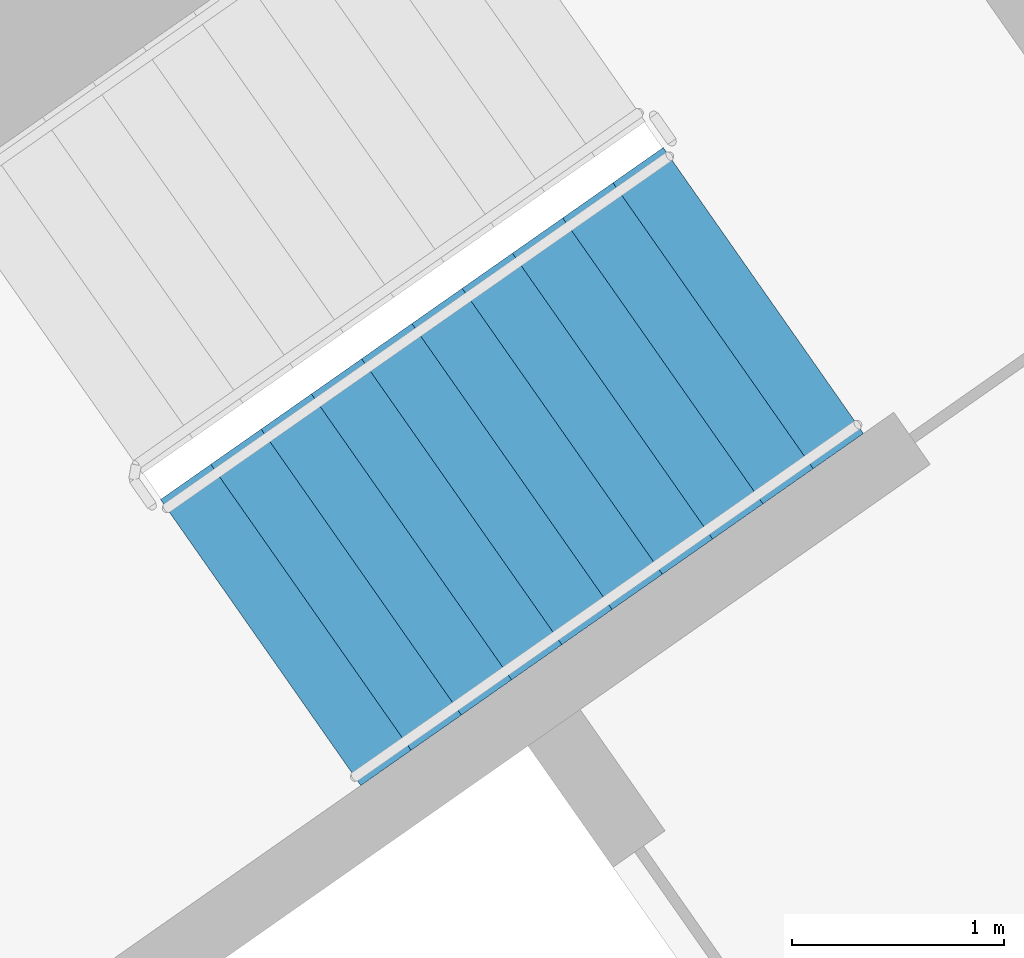
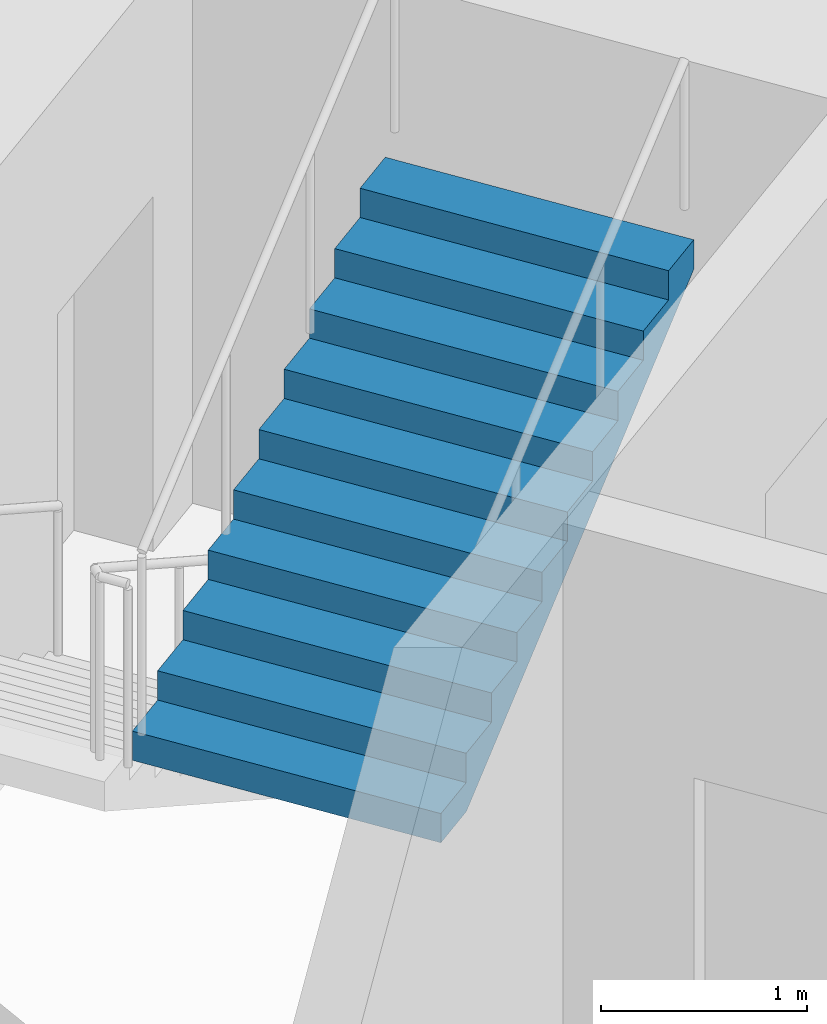
# One storey, part 16 of 28: 1 stair flight, 1 element without a shape of its own.
"""IFC4 building model written with IfcOpenShell, lengths in metres."""

from ifc_helpers import new_model, si_unit, direction, frame, origin, place, context, subcontext, project, spatial, faceted_brep, material, type_object, element, aggregate, save


model = new_model("IFC4")

# Units and contexts
model_context = context("Model", 3, precision=1e-05, world=origin(), true_north=direction((0.0, 1.0)))
body_context = subcontext(model_context, "Body", "Model", "MODEL_VIEW")
ifc_project = project(units=[si_unit("LENGTHUNIT", "METRE"), si_unit("AREAUNIT", "SQUARE_METRE"), si_unit("VOLUMEUNIT", "CUBIC_METRE"), si_unit("PLANEANGLEUNIT", "RADIAN"), si_unit("MASSUNIT", "GRAM", prefix="KILO")], contexts=[model_context])

# Site, building, storey
site_placement = place(None, origin())
site = spatial("IfcSite", under=ifc_project, at=site_placement, CompositionType="ELEMENT")
building_placement = place(site_placement, origin())
building = spatial("IfcBuilding", under=site, at=building_placement, Name="Qamariyya Broadcast Tower", CompositionType="ELEMENT")
storey_placement = place(building_placement, frame((0.0, 0.0, 140.5)))
storey = spatial("IfcBuildingStorey", under=building, at=storey_placement, Name="L32", CompositionType="ELEMENT", Elevation=140.5)

# Stair, stair flight
ifc_material = material(Name="Concrete C50/60", Category="concrete")
stair_type = type_object("IfcStairType", Name="Exit stair 22 risers of 173 mm", PredefinedType="HALF_TURN_STAIR", material=ifc_material)
stair_placement = place(storey_placement, origin())
stair = element("IfcStair", 1, at=stair_placement, inside=storey, type_object=stair_type, Name="L32 Stair E2", PredefinedType="HALF_TURN_STAIR")
stair_flight_type = type_object("IfcStairFlightType", Name="Exit stair flight 11 risers of 173 mm", PredefinedType="STRAIGHT", material=ifc_material)
stair_flight_placement = place(storey_placement, frame((39.215576171875, -50.822998046875, 1.89990234375), z_axis=(0.0, 0.0, 1.0), x_axis=(0.819152044289, 0.573576436351, 0.0)))
stair_flight = element("IfcStairFlight", 2, at=stair_flight_placement, type_object=stair_flight_type, Name="ST-E2 flight 2", NumberOfRisers=11, NumberOfTreads=10, PredefinedType="STRAIGHT", RiserHeight=0.172727273, TreadLength=0.29, context=body_context, shape_type="Brep", body=[
    faceted_brep([(0.0, 0.824951171875, 0.0), (0.0, 0.824951171875, 0.172607421875), (0.2900390625, 0.824951171875, 0.172607421875), (0.2900390625, 0.824951171875, 0.345458984375), (0.580078125, 0.824951171875, 0.345458984375), (0.580078125, 0.824951171875, 0.51806640625), (0.8701171875, 0.824951171875, 0.51806640625), (0.8701171875, 0.824951171875, 0.69091796875), (1.159912109375, 0.824951171875, 0.69091796875), (1.159912109375, 0.824951171875, 0.863525390625), (1.449951171875, 0.824951171875, 0.863525390625), (1.449951171875, 0.824951171875, 1.036376953125), (1.739990234375, 0.824951171875, 1.036376953125), (1.739990234375, 0.824951171875, 1.208984375), (2.030029296875, 0.824951171875, 1.208984375), (2.030029296875, 0.824951171875, 1.3818359375), (2.320068359375, 0.824951171875, 1.3818359375), (2.320068359375, 0.824951171875, 1.554443359375), (2.610107421875, 0.824951171875, 1.554443359375), (2.610107421875, 0.824951171875, 1.727294921875), (2.89990234375, 0.824951171875, 1.727294921875), (2.89990234375, 0.824951171875, 1.552734375), (0.29296875, 0.824951171875, 0.0), (0.29296875, -0.824951171875, 0.0), (2.89990234375, -0.824951171875, 1.552734375), (2.89990234375, -0.824951171875, 1.727294921875), (2.610107421875, -0.824951171875, 1.727294921875), (2.610107421875, -0.824951171875, 1.554443359375), (2.320068359375, -0.824951171875, 1.554443359375), (2.320068359375, -0.824951171875, 1.3818359375), (2.030029296875, -0.824951171875, 1.3818359375), (2.030029296875, -0.824951171875, 1.208984375), (1.739990234375, -0.824951171875, 1.208984375), (1.739990234375, -0.824951171875, 1.036376953125), (1.449951171875, -0.824951171875, 1.036376953125), (1.449951171875, -0.824951171875, 0.863525390625), (1.159912109375, -0.824951171875, 0.863525390625), (1.159912109375, -0.824951171875, 0.69091796875), (0.8701171875, -0.824951171875, 0.69091796875), (0.8701171875, -0.824951171875, 0.51806640625), (0.580078125, -0.824951171875, 0.51806640625), (0.580078125, -0.824951171875, 0.345458984375), (0.2900390625, -0.824951171875, 0.345458984375), (0.2900390625, -0.824951171875, 0.172607421875), (0.0, -0.824951171875, 0.172607421875), (0.0, -0.824951171875, 0.0), (0.0, 0.10009765625, 0.0), (0.0, 0.086669921875, 0.0), (0.0, 0.0732421875, 0.0), (0.0, 0.06005859375, 0.0), (0.0, 0.046630859375, 0.0), (0.0, 0.033447265625, 0.0), (0.0, 0.02001953125, 0.0), (0.0, 0.006591796875, 0.0), (0.0, -0.006591796875, 0.0), (0.0, -0.02001953125, 0.0), (0.0, -0.033447265625, 0.0), (0.0, -0.046630859375, 0.0), (0.0, -0.06005859375, 0.0), (0.0, -0.0732421875, 0.0), (0.0, -0.086669921875, 0.0), (0.0, -0.10009765625, 0.0), (0.0, -0.10009765625, 0.172607421875), (0.0, -0.086669921875, 0.172607421875), (0.0, -0.0732421875, 0.172607421875), (0.0, -0.06005859375, 0.172607421875), (0.0, -0.046630859375, 0.172607421875), (0.0, -0.033447265625, 0.172607421875), (0.0, -0.02001953125, 0.172607421875), (0.0, -0.006591796875, 0.172607421875), (0.0, 0.006591796875, 0.172607421875), (0.0, 0.02001953125, 0.172607421875), (0.0, 0.033447265625, 0.172607421875), (0.0, 0.046630859375, 0.172607421875), (0.0, 0.06005859375, 0.172607421875), (0.0, 0.0732421875, 0.172607421875), (0.0, 0.086669921875, 0.172607421875), (0.0, 0.10009765625, 0.172607421875), (0.2900390625, -0.10009765625, 0.172607421875), (0.2900390625, -0.086669921875, 0.172607421875), (0.2900390625, -0.0732421875, 0.172607421875), (0.2900390625, -0.06005859375, 0.172607421875), (0.2900390625, -0.046630859375, 0.172607421875), (0.2900390625, -0.033447265625, 0.172607421875), (0.2900390625, -0.02001953125, 0.172607421875), (0.2900390625, -0.006591796875, 0.172607421875), (0.2900390625, 0.006591796875, 0.172607421875), (0.2900390625, 0.02001953125, 0.172607421875), (0.2900390625, 0.033447265625, 0.172607421875), (0.2900390625, 0.046630859375, 0.172607421875), (0.2900390625, 0.06005859375, 0.172607421875), (0.2900390625, 0.0732421875, 0.172607421875), (0.2900390625, 0.086669921875, 0.172607421875), (0.2900390625, 0.10009765625, 0.172607421875), (0.2900390625, -0.10009765625, 0.345458984375), (0.2900390625, -0.086669921875, 0.345458984375), (0.2900390625, -0.0732421875, 0.345458984375), (0.2900390625, -0.06005859375, 0.345458984375), (0.2900390625, -0.046630859375, 0.345458984375), (0.2900390625, -0.033447265625, 0.345458984375), (0.2900390625, -0.02001953125, 0.345458984375), (0.2900390625, -0.006591796875, 0.345458984375), (0.2900390625, 0.006591796875, 0.345458984375), (0.2900390625, 0.02001953125, 0.345458984375), (0.2900390625, 0.033447265625, 0.345458984375), (0.2900390625, 0.046630859375, 0.345458984375), (0.2900390625, 0.06005859375, 0.345458984375), (0.2900390625, 0.0732421875, 0.345458984375), (0.2900390625, 0.086669921875, 0.345458984375), (0.2900390625, 0.10009765625, 0.345458984375), (0.580078125, -0.10009765625, 0.345458984375), (0.580078125, -0.086669921875, 0.345458984375), (0.580078125, -0.0732421875, 0.345458984375), (0.580078125, -0.06005859375, 0.345458984375), (0.580078125, -0.046630859375, 0.345458984375), (0.580078125, -0.033447265625, 0.345458984375), (0.580078125, -0.02001953125, 0.345458984375), (0.580078125, -0.006591796875, 0.345458984375), (0.580078125, 0.006591796875, 0.345458984375), (0.580078125, 0.02001953125, 0.345458984375), (0.580078125, 0.033447265625, 0.345458984375), (0.580078125, 0.046630859375, 0.345458984375), (0.580078125, 0.06005859375, 0.345458984375), (0.580078125, 0.0732421875, 0.345458984375), (0.580078125, 0.086669921875, 0.345458984375), (0.580078125, 0.10009765625, 0.345458984375), (0.580078125, -0.10009765625, 0.51806640625), (0.580078125, -0.086669921875, 0.51806640625), (0.580078125, -0.0732421875, 0.51806640625), (0.580078125, -0.06005859375, 0.51806640625), (0.580078125, -0.046630859375, 0.51806640625), (0.580078125, -0.033447265625, 0.51806640625), (0.580078125, -0.02001953125, 0.51806640625), (0.580078125, -0.006591796875, 0.51806640625), (0.580078125, 0.006591796875, 0.51806640625), (0.580078125, 0.02001953125, 0.51806640625), (0.580078125, 0.033447265625, 0.51806640625), (0.580078125, 0.046630859375, 0.51806640625), (0.580078125, 0.06005859375, 0.51806640625), (0.580078125, 0.0732421875, 0.51806640625), (0.580078125, 0.086669921875, 0.51806640625), (0.580078125, 0.10009765625, 0.51806640625), (0.8701171875, -0.10009765625, 0.51806640625), (0.8701171875, -0.086669921875, 0.51806640625), (0.8701171875, -0.0732421875, 0.51806640625), (0.8701171875, -0.06005859375, 0.51806640625), (0.8701171875, -0.046630859375, 0.51806640625), (0.8701171875, -0.033447265625, 0.51806640625), (0.8701171875, -0.02001953125, 0.51806640625), (0.8701171875, -0.006591796875, 0.51806640625), (0.8701171875, 0.006591796875, 0.51806640625), (0.8701171875, 0.02001953125, 0.51806640625), (0.8701171875, 0.033447265625, 0.51806640625), (0.8701171875, 0.046630859375, 0.51806640625), (0.8701171875, 0.06005859375, 0.51806640625), (0.8701171875, 0.0732421875, 0.51806640625), (0.8701171875, 0.086669921875, 0.51806640625), (0.8701171875, 0.10009765625, 0.51806640625), (0.8701171875, -0.10009765625, 0.69091796875), (0.8701171875, -0.086669921875, 0.69091796875), (0.8701171875, -0.0732421875, 0.69091796875), (0.8701171875, -0.06005859375, 0.69091796875), (0.8701171875, -0.046630859375, 0.69091796875), (0.8701171875, -0.033447265625, 0.69091796875), (0.8701171875, -0.02001953125, 0.69091796875), (0.8701171875, -0.006591796875, 0.69091796875), (0.8701171875, 0.006591796875, 0.69091796875), (0.8701171875, 0.02001953125, 0.69091796875), (0.8701171875, 0.033447265625, 0.69091796875), (0.8701171875, 0.046630859375, 0.69091796875), (0.8701171875, 0.06005859375, 0.69091796875), (0.8701171875, 0.0732421875, 0.69091796875), (0.8701171875, 0.086669921875, 0.69091796875), (0.8701171875, 0.10009765625, 0.69091796875), (1.159912109375, -0.10009765625, 0.69091796875), (1.159912109375, -0.086669921875, 0.69091796875), (1.159912109375, -0.0732421875, 0.69091796875), (1.159912109375, -0.06005859375, 0.69091796875), (1.159912109375, -0.046630859375, 0.69091796875), (1.159912109375, -0.033447265625, 0.69091796875), (1.159912109375, -0.02001953125, 0.69091796875), (1.159912109375, -0.006591796875, 0.69091796875), (1.159912109375, 0.006591796875, 0.69091796875), (1.159912109375, 0.02001953125, 0.69091796875), (1.159912109375, 0.033447265625, 0.69091796875), (1.159912109375, 0.046630859375, 0.69091796875), (1.159912109375, 0.06005859375, 0.69091796875), (1.159912109375, 0.0732421875, 0.69091796875), (1.159912109375, 0.086669921875, 0.69091796875), (1.159912109375, 0.10009765625, 0.69091796875), (1.159912109375, -0.10009765625, 0.863525390625), (1.159912109375, -0.086669921875, 0.863525390625), (1.159912109375, -0.0732421875, 0.863525390625), (1.159912109375, -0.06005859375, 0.863525390625), (1.159912109375, -0.046630859375, 0.863525390625), (1.159912109375, -0.033447265625, 0.863525390625), (1.159912109375, -0.02001953125, 0.863525390625), (1.159912109375, -0.006591796875, 0.863525390625), (1.159912109375, 0.006591796875, 0.863525390625), (1.159912109375, 0.02001953125, 0.863525390625), (1.159912109375, 0.033447265625, 0.863525390625), (1.159912109375, 0.046630859375, 0.863525390625), (1.159912109375, 0.06005859375, 0.863525390625), (1.159912109375, 0.0732421875, 0.863525390625), (1.159912109375, 0.086669921875, 0.863525390625), (1.159912109375, 0.10009765625, 0.863525390625), (1.449951171875, -0.10009765625, 0.863525390625), (1.449951171875, -0.086669921875, 0.863525390625), (1.449951171875, -0.0732421875, 0.863525390625), (1.449951171875, -0.06005859375, 0.863525390625), (1.449951171875, -0.046630859375, 0.863525390625), (1.449951171875, -0.033447265625, 0.863525390625), (1.449951171875, -0.02001953125, 0.863525390625), (1.449951171875, -0.006591796875, 0.863525390625), (1.449951171875, 0.006591796875, 0.863525390625), (1.449951171875, 0.02001953125, 0.863525390625), (1.449951171875, 0.033447265625, 0.863525390625), (1.449951171875, 0.046630859375, 0.863525390625), (1.449951171875, 0.06005859375, 0.863525390625), (1.449951171875, 0.0732421875, 0.863525390625), (1.449951171875, 0.086669921875, 0.863525390625), (1.449951171875, 0.10009765625, 0.863525390625), (1.449951171875, -0.10009765625, 1.036376953125), (1.449951171875, -0.086669921875, 1.036376953125), (1.449951171875, -0.0732421875, 1.036376953125), (1.449951171875, -0.06005859375, 1.036376953125), (1.449951171875, -0.046630859375, 1.036376953125), (1.449951171875, -0.033447265625, 1.036376953125), (1.449951171875, -0.02001953125, 1.036376953125), (1.449951171875, -0.006591796875, 1.036376953125), (1.449951171875, 0.006591796875, 1.036376953125), (1.449951171875, 0.02001953125, 1.036376953125), (1.449951171875, 0.033447265625, 1.036376953125), (1.449951171875, 0.046630859375, 1.036376953125), (1.449951171875, 0.06005859375, 1.036376953125), (1.449951171875, 0.0732421875, 1.036376953125), (1.449951171875, 0.086669921875, 1.036376953125), (1.449951171875, 0.10009765625, 1.036376953125), (1.739990234375, -0.10009765625, 1.036376953125), (1.739990234375, -0.086669921875, 1.036376953125), (1.739990234375, -0.0732421875, 1.036376953125), (1.739990234375, -0.06005859375, 1.036376953125), (1.739990234375, -0.046630859375, 1.036376953125), (1.739990234375, -0.033447265625, 1.036376953125), (1.739990234375, -0.02001953125, 1.036376953125), (1.739990234375, -0.006591796875, 1.036376953125), (1.739990234375, 0.006591796875, 1.036376953125), (1.739990234375, 0.02001953125, 1.036376953125), (1.739990234375, 0.033447265625, 1.036376953125), (1.739990234375, 0.046630859375, 1.036376953125), (1.739990234375, 0.06005859375, 1.036376953125), (1.739990234375, 0.0732421875, 1.036376953125), (1.739990234375, 0.086669921875, 1.036376953125), (1.739990234375, 0.10009765625, 1.036376953125), (1.739990234375, -0.10009765625, 1.208984375), (1.739990234375, -0.086669921875, 1.208984375), (1.739990234375, -0.0732421875, 1.208984375), (1.739990234375, -0.06005859375, 1.208984375), (1.739990234375, -0.046630859375, 1.208984375), (1.739990234375, -0.033447265625, 1.208984375), (1.739990234375, -0.02001953125, 1.208984375), (1.739990234375, -0.006591796875, 1.208984375), (1.739990234375, 0.006591796875, 1.208984375), (1.739990234375, 0.02001953125, 1.208984375), (1.739990234375, 0.033447265625, 1.208984375), (1.739990234375, 0.046630859375, 1.208984375), (1.739990234375, 0.06005859375, 1.208984375), (1.739990234375, 0.0732421875, 1.208984375), (1.739990234375, 0.086669921875, 1.208984375), (1.739990234375, 0.10009765625, 1.208984375), (2.030029296875, -0.10009765625, 1.208984375), (2.030029296875, -0.086669921875, 1.208984375), (2.030029296875, -0.0732421875, 1.208984375), (2.030029296875, -0.06005859375, 1.208984375), (2.030029296875, -0.046630859375, 1.208984375), (2.030029296875, -0.033447265625, 1.208984375), (2.030029296875, -0.02001953125, 1.208984375), (2.030029296875, -0.006591796875, 1.208984375), (2.030029296875, 0.006591796875, 1.208984375), (2.030029296875, 0.02001953125, 1.208984375), (2.030029296875, 0.033447265625, 1.208984375), (2.030029296875, 0.046630859375, 1.208984375), (2.030029296875, 0.06005859375, 1.208984375), (2.030029296875, 0.0732421875, 1.208984375), (2.030029296875, 0.086669921875, 1.208984375), (2.030029296875, 0.10009765625, 1.208984375), (2.030029296875, -0.10009765625, 1.3818359375), (2.030029296875, -0.086669921875, 1.3818359375), (2.030029296875, -0.0732421875, 1.3818359375), (2.030029296875, -0.06005859375, 1.3818359375), (2.030029296875, -0.046630859375, 1.3818359375), (2.030029296875, -0.033447265625, 1.3818359375), (2.030029296875, -0.02001953125, 1.3818359375), (2.030029296875, -0.006591796875, 1.3818359375), (2.030029296875, 0.006591796875, 1.3818359375), (2.030029296875, 0.02001953125, 1.3818359375), (2.030029296875, 0.033447265625, 1.3818359375), (2.030029296875, 0.046630859375, 1.3818359375), (2.030029296875, 0.06005859375, 1.3818359375), (2.030029296875, 0.0732421875, 1.3818359375), (2.030029296875, 0.086669921875, 1.3818359375), (2.030029296875, 0.10009765625, 1.3818359375), (2.320068359375, -0.10009765625, 1.3818359375), (2.320068359375, -0.086669921875, 1.3818359375), (2.320068359375, -0.0732421875, 1.3818359375), (2.320068359375, -0.06005859375, 1.3818359375), (2.320068359375, -0.046630859375, 1.3818359375), (2.320068359375, -0.033447265625, 1.3818359375), (2.320068359375, -0.02001953125, 1.3818359375), (2.320068359375, -0.006591796875, 1.3818359375), (2.320068359375, 0.006591796875, 1.3818359375), (2.320068359375, 0.02001953125, 1.3818359375), (2.320068359375, 0.033447265625, 1.3818359375), (2.320068359375, 0.046630859375, 1.3818359375), (2.320068359375, 0.06005859375, 1.3818359375), (2.320068359375, 0.0732421875, 1.3818359375), (2.320068359375, 0.086669921875, 1.3818359375), (2.320068359375, 0.10009765625, 1.3818359375), (2.320068359375, -0.10009765625, 1.554443359375), (2.320068359375, -0.086669921875, 1.554443359375), (2.320068359375, -0.0732421875, 1.554443359375), (2.320068359375, -0.06005859375, 1.554443359375), (2.320068359375, -0.046630859375, 1.554443359375), (2.320068359375, -0.033447265625, 1.554443359375), (2.320068359375, -0.02001953125, 1.554443359375), (2.320068359375, -0.006591796875, 1.554443359375), (2.320068359375, 0.006591796875, 1.554443359375), (2.320068359375, 0.02001953125, 1.554443359375), (2.320068359375, 0.033447265625, 1.554443359375), (2.320068359375, 0.046630859375, 1.554443359375), (2.320068359375, 0.06005859375, 1.554443359375), (2.320068359375, 0.0732421875, 1.554443359375), (2.320068359375, 0.086669921875, 1.554443359375), (2.320068359375, 0.10009765625, 1.554443359375), (2.610107421875, -0.10009765625, 1.554443359375), (2.610107421875, -0.086669921875, 1.554443359375), (2.610107421875, -0.0732421875, 1.554443359375), (2.610107421875, -0.06005859375, 1.554443359375), (2.610107421875, -0.046630859375, 1.554443359375), (2.610107421875, -0.033447265625, 1.554443359375), (2.610107421875, -0.02001953125, 1.554443359375), (2.610107421875, -0.006591796875, 1.554443359375), (2.610107421875, 0.006591796875, 1.554443359375), (2.610107421875, 0.02001953125, 1.554443359375), (2.610107421875, 0.033447265625, 1.554443359375), (2.610107421875, 0.046630859375, 1.554443359375), (2.610107421875, 0.06005859375, 1.554443359375), (2.610107421875, 0.0732421875, 1.554443359375), (2.610107421875, 0.086669921875, 1.554443359375), (2.610107421875, 0.10009765625, 1.554443359375), (2.610107421875, -0.10009765625, 1.727294921875), (2.610107421875, -0.086669921875, 1.727294921875), (2.610107421875, -0.0732421875, 1.727294921875), (2.610107421875, -0.06005859375, 1.727294921875), (2.610107421875, -0.046630859375, 1.727294921875), (2.610107421875, -0.033447265625, 1.727294921875), (2.610107421875, -0.02001953125, 1.727294921875), (2.610107421875, -0.006591796875, 1.727294921875), (2.610107421875, 0.006591796875, 1.727294921875), (2.610107421875, 0.02001953125, 1.727294921875), (2.610107421875, 0.033447265625, 1.727294921875), (2.610107421875, 0.046630859375, 1.727294921875), (2.610107421875, 0.06005859375, 1.727294921875), (2.610107421875, 0.0732421875, 1.727294921875), (2.610107421875, 0.086669921875, 1.727294921875), (2.610107421875, 0.10009765625, 1.727294921875), (2.89990234375, -0.10009765625, 1.727294921875), (2.89990234375, -0.086669921875, 1.727294921875), (2.89990234375, -0.0732421875, 1.727294921875), (2.89990234375, -0.06005859375, 1.727294921875), (2.89990234375, -0.046630859375, 1.727294921875), (2.89990234375, -0.033447265625, 1.727294921875), (2.89990234375, -0.02001953125, 1.727294921875), (2.89990234375, -0.006591796875, 1.727294921875), (2.89990234375, 0.006591796875, 1.727294921875), (2.89990234375, 0.02001953125, 1.727294921875), (2.89990234375, 0.033447265625, 1.727294921875), (2.89990234375, 0.046630859375, 1.727294921875), (2.89990234375, 0.06005859375, 1.727294921875), (2.89990234375, 0.0732421875, 1.727294921875), (2.89990234375, 0.086669921875, 1.727294921875), (2.89990234375, 0.10009765625, 1.727294921875), (2.89990234375, -0.10009765625, 1.552734375), (2.89990234375, -0.086669921875, 1.552734375), (2.89990234375, -0.0732421875, 1.552734375), (2.89990234375, -0.06005859375, 1.552734375), (2.89990234375, -0.046630859375, 1.552734375), (2.89990234375, -0.033447265625, 1.552734375), (2.89990234375, -0.02001953125, 1.552734375), (2.89990234375, -0.006591796875, 1.552734375), (2.89990234375, 0.006591796875, 1.552734375), (2.89990234375, 0.02001953125, 1.552734375), (2.89990234375, 0.033447265625, 1.552734375), (2.89990234375, 0.046630859375, 1.552734375), (2.89990234375, 0.06005859375, 1.552734375), (2.89990234375, 0.0732421875, 1.552734375), (2.89990234375, 0.086669921875, 1.552734375), (2.89990234375, 0.10009765625, 1.552734375), (0.29296875, -0.10009765625, 0.0), (0.29296875, -0.086669921875, 0.0), (0.29296875, -0.0732421875, 0.0), (0.29296875, -0.06005859375, 0.0), (0.29296875, -0.046630859375, 0.0), (0.29296875, -0.033447265625, 0.0), (0.29296875, -0.02001953125, 0.0), (0.29296875, -0.006591796875, 0.0), (0.29296875, 0.006591796875, 0.0), (0.29296875, 0.02001953125, 0.0), (0.29296875, 0.033447265625, 0.0), (0.29296875, 0.046630859375, 0.0), (0.29296875, 0.06005859375, 0.0), (0.29296875, 0.0732421875, 0.0), (0.29296875, 0.086669921875, 0.0), (0.29296875, 0.10009765625, 0.0)], [[[0, 1, 2, 3, 4, 5, 6, 7, 8, 9, 10, 11, 12, 13, 14, 15, 16, 17, 18, 19, 20, 21, 22]], [[23, 24, 25, 26, 27, 28, 29, 30, 31, 32, 33, 34, 35, 36, 37, 38, 39, 40, 41, 42, 43, 44, 45]], [[0, 46, 47, 48, 49, 50, 51, 52, 53, 54, 55, 56, 57, 58, 59, 60, 61, 45, 44, 62, 63, 64, 65, 66, 67, 68, 69, 70, 71, 72, 73, 74, 75, 76, 77, 1]], [[1, 77, 76, 75, 74, 73, 72, 71, 70, 69, 68, 67, 66, 65, 64, 63, 62, 44, 43, 78, 79, 80, 81, 82, 83, 84, 85, 86, 87, 88, 89, 90, 91, 92, 93, 2]], [[2, 93, 92, 91, 90, 89, 88, 87, 86, 85, 84, 83, 82, 81, 80, 79, 78, 43, 42, 94, 95, 96, 97, 98, 99, 100, 101, 102, 103, 104, 105, 106, 107, 108, 109, 3]], [[3, 109, 108, 107, 106, 105, 104, 103, 102, 101, 100, 99, 98, 97, 96, 95, 94, 42, 41, 110, 111, 112, 113, 114, 115, 116, 117, 118, 119, 120, 121, 122, 123, 124, 125, 4]], [[4, 125, 124, 123, 122, 121, 120, 119, 118, 117, 116, 115, 114, 113, 112, 111, 110, 41, 40, 126, 127, 128, 129, 130, 131, 132, 133, 134, 135, 136, 137, 138, 139, 140, 141, 5]], [[5, 141, 140, 139, 138, 137, 136, 135, 134, 133, 132, 131, 130, 129, 128, 127, 126, 40, 39, 142, 143, 144, 145, 146, 147, 148, 149, 150, 151, 152, 153, 154, 155, 156, 157, 6]], [[6, 157, 156, 155, 154, 153, 152, 151, 150, 149, 148, 147, 146, 145, 144, 143, 142, 39, 38, 158, 159, 160, 161, 162, 163, 164, 165, 166, 167, 168, 169, 170, 171, 172, 173, 7]], [[7, 173, 172, 171, 170, 169, 168, 167, 166, 165, 164, 163, 162, 161, 160, 159, 158, 38, 37, 174, 175, 176, 177, 178, 179, 180, 181, 182, 183, 184, 185, 186, 187, 188, 189, 8]], [[8, 189, 188, 187, 186, 185, 184, 183, 182, 181, 180, 179, 178, 177, 176, 175, 174, 37, 36, 190, 191, 192, 193, 194, 195, 196, 197, 198, 199, 200, 201, 202, 203, 204, 205, 9]], [[9, 205, 204, 203, 202, 201, 200, 199, 198, 197, 196, 195, 194, 193, 192, 191, 190, 36, 35, 206, 207, 208, 209, 210, 211, 212, 213, 214, 215, 216, 217, 218, 219, 220, 221, 10]], [[10, 221, 220, 219, 218, 217, 216, 215, 214, 213, 212, 211, 210, 209, 208, 207, 206, 35, 34, 222, 223, 224, 225, 226, 227, 228, 229, 230, 231, 232, 233, 234, 235, 236, 237, 11]], [[11, 237, 236, 235, 234, 233, 232, 231, 230, 229, 228, 227, 226, 225, 224, 223, 222, 34, 33, 238, 239, 240, 241, 242, 243, 244, 245, 246, 247, 248, 249, 250, 251, 252, 253, 12]], [[12, 253, 252, 251, 250, 249, 248, 247, 246, 245, 244, 243, 242, 241, 240, 239, 238, 33, 32, 254, 255, 256, 257, 258, 259, 260, 261, 262, 263, 264, 265, 266, 267, 268, 269, 13]], [[13, 269, 268, 267, 266, 265, 264, 263, 262, 261, 260, 259, 258, 257, 256, 255, 254, 32, 31, 270, 271, 272, 273, 274, 275, 276, 277, 278, 279, 280, 281, 282, 283, 284, 285, 14]], [[14, 285, 284, 283, 282, 281, 280, 279, 278, 277, 276, 275, 274, 273, 272, 271, 270, 31, 30, 286, 287, 288, 289, 290, 291, 292, 293, 294, 295, 296, 297, 298, 299, 300, 301, 15]], [[15, 301, 300, 299, 298, 297, 296, 295, 294, 293, 292, 291, 290, 289, 288, 287, 286, 30, 29, 302, 303, 304, 305, 306, 307, 308, 309, 310, 311, 312, 313, 314, 315, 316, 317, 16]], [[16, 317, 316, 315, 314, 313, 312, 311, 310, 309, 308, 307, 306, 305, 304, 303, 302, 29, 28, 318, 319, 320, 321, 322, 323, 324, 325, 326, 327, 328, 329, 330, 331, 332, 333, 17]], [[17, 333, 332, 331, 330, 329, 328, 327, 326, 325, 324, 323, 322, 321, 320, 319, 318, 28, 27, 334, 335, 336, 337, 338, 339, 340, 341, 342, 343, 344, 345, 346, 347, 348, 349, 18]], [[18, 349, 348, 347, 346, 345, 344, 343, 342, 341, 340, 339, 338, 337, 336, 335, 334, 27, 26, 350, 351, 352, 353, 354, 355, 356, 357, 358, 359, 360, 361, 362, 363, 364, 365, 19]], [[19, 365, 364, 363, 362, 361, 360, 359, 358, 357, 356, 355, 354, 353, 352, 351, 350, 26, 25, 366, 367, 368, 369, 370, 371, 372, 373, 374, 375, 376, 377, 378, 379, 380, 381, 20]], [[20, 381, 380, 379, 378, 377, 376, 375, 374, 373, 372, 371, 370, 369, 368, 367, 366, 25, 24, 382, 383, 384, 385, 386, 387, 388, 389, 390, 391, 392, 393, 394, 395, 396, 397, 21]], [[21, 397, 396, 395, 394, 393, 392, 391, 390, 389, 388, 387, 386, 385, 384, 383, 382, 24, 23, 398, 399, 400, 401, 402, 403, 404, 405, 406, 407, 408, 409, 410, 411, 412, 413, 22]], [[22, 413, 412, 411, 410, 409, 408, 407, 406, 405, 404, 403, 402, 401, 400, 399, 398, 23, 45, 61, 60, 59, 58, 57, 56, 55, 54, 53, 52, 51, 50, 49, 48, 47, 46, 0]]]),
])
aggregate(stair, [stair_flight])

save(model, "model.ifc")
